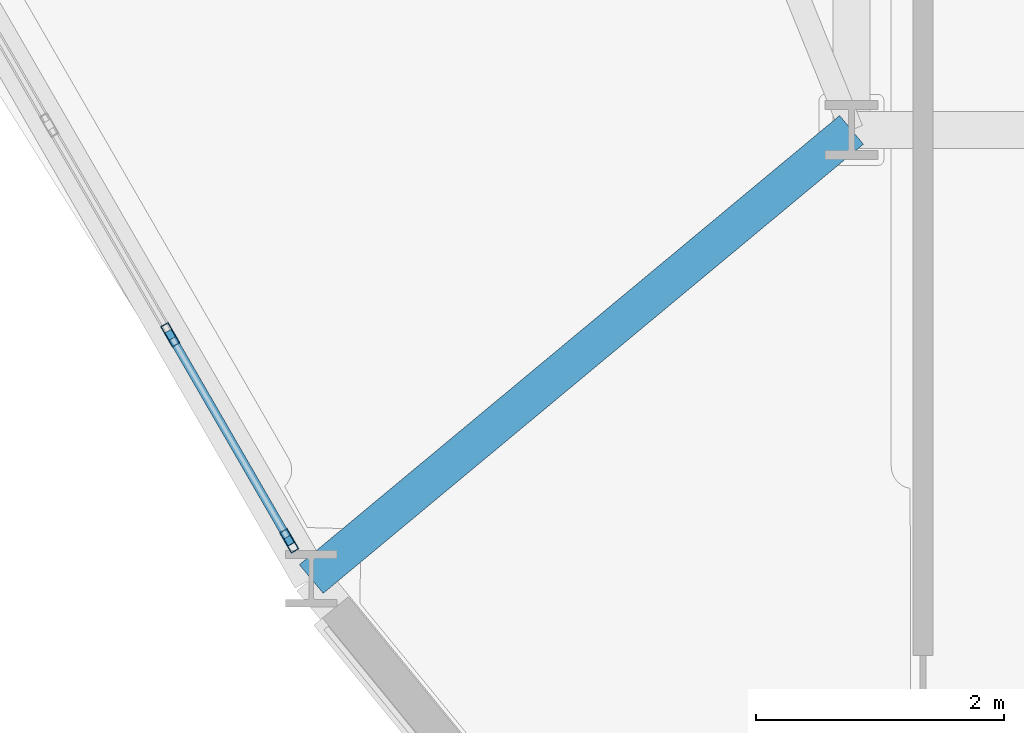
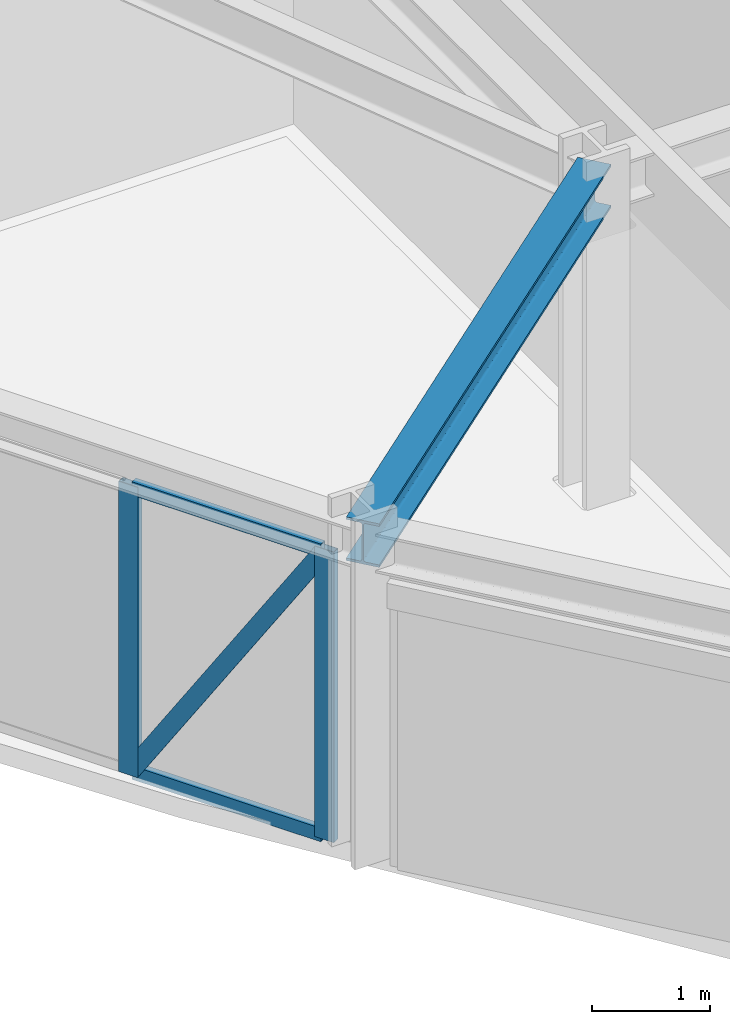
# One storey, part 2 of 17: 5 members, 1 beam, 1 element without a shape of its own.
"""IFC4 building model written with IfcOpenShell, lengths in metres."""

from ifc_helpers import new_model, si_unit, derived_unit, direction, frame, origin, origin_2d, place, context, subcontext, project, spatial, hollow_rectangle, i_section, extrude, source, transform, mapped, material, layer, layer_set, material_profile, profile_set, type_object, element, aggregate, save


model = new_model("IFC4")

# Units and contexts
model_context = context("Model", 3, precision=1e-05, world=origin(), true_north=direction((0.0, 1.0)))
body_context = subcontext(model_context, "Body", "Model", "MODEL_VIEW")
ifc_project = project(units=[si_unit("LENGTHUNIT", "METRE"), si_unit("AREAUNIT", "SQUARE_METRE"), si_unit("VOLUMEUNIT", "CUBIC_METRE"), si_unit("PLANEANGLEUNIT", "RADIAN"), si_unit("MASSUNIT", "GRAM", prefix="KILO"), derived_unit("THERMALTRANSMITTANCEUNIT", [(si_unit("POWERUNIT", "WATT"), 1), (si_unit("LENGTHUNIT", "METRE"), -2), (si_unit("THERMODYNAMICTEMPERATUREUNIT", "KELVIN"), -1)])], contexts=[model_context])

# Site, building, storey
site_placement = place(None, origin())
site = spatial("IfcSite", under=ifc_project, at=site_placement, CompositionType="ELEMENT")
building_placement = place(site_placement, origin())
building = spatial("IfcBuilding", under=site, at=building_placement, Name="Korsvarv Bourse and Concert Hall", CompositionType="ELEMENT")
storey_placement = place(building_placement, frame((0.0, 0.0, 102.60009765625)))
storey = spatial("IfcBuildingStorey", under=building, at=storey_placement, Name="L25", CompositionType="ELEMENT", Elevation=102.60009765625)

# Beam
ifc_material_1 = material(Name="Steel S355", Category="steel")
ifc_material_profile_1 = material_profile(ifc_material_1, i_section(OverallWidth=0.300048828125, OverallDepth=0.449951171875, WebThickness=0.013916015625, FlangeThickness=0.02587890625, FilletRadius=0.02099609375, at=origin_2d()), Name="HEB 450")
ifc_profile_set_1 = profile_set([ifc_material_profile_1], Name="Steel S355")
beam_type = type_object("IfcBeamType", Name="BM-HEB450", PredefinedType="SPANDREL", material=ifc_profile_set_1)
shared_shape_1 = source(origin(), body_context, "Body", "SweptSolid", [
    extrude(i_section(OverallWidth=0.300048828125, OverallDepth=0.449951171875, WebThickness=0.013916015625, FlangeThickness=0.02587890625, FilletRadius=0.02099609375, at=origin_2d()), origin(), (0.0, 0.0, 1.0), 5.658447265625),
])
beam_placement = place(storey_placement, frame((23.248779296875, 20.3828125, 3.1748046875), z_axis=(0.768995227549, 0.639254518957, 0.0), x_axis=(-0.639254518957, 0.768995227549, 0.0)))
element("IfcBeam", 1, at=beam_placement, inside=storey, type_object=beam_type, Name="L25 beam B-08", PredefinedType="SPANDREL", context=body_context, shape_type="MappedRepresentation", body=[
    mapped(shared_shape_1, transform((0.0, 0.0, 0.0), scale=1.0)),
])

# Curtain wall, members
ifc_material_2 = material(Name="Anodised aluminium and triple low-E glazing", Category="glass")
ifc_layer = layer(ifc_material_2, 0.2099609375)
ifc_layer_set = layer_set([ifc_layer], Name="Anodised aluminium and triple low-E glazing")
curtain_wall_type = type_object("IfcCurtainWallType", Name="CW-SYS-2", PredefinedType="NOTDEFINED", material=ifc_layer_set)
curtain_wall_placement = place(storey_placement, origin())
curtain_wall = element("IfcCurtainWall", 2, at=curtain_wall_placement, inside=storey, type_object=curtain_wall_type, Name="L25 CW2 curtain wall CW-L25-F07", PredefinedType="NOTDEFINED")
ifc_material_3 = material(Name="Extruded aluminium EN AW-6063 T66", Category="aluminium")
ifc_material_profile_2 = material_profile(ifc_material_3, hollow_rectangle(XDim=0.070068359375, YDim=0.18994140625, WallThickness=0.0048828125, at=origin_2d()), Name="ALU-M 70x190")
ifc_profile_set_2 = profile_set([ifc_material_profile_2], Name="Extruded aluminium EN AW-6063 T66")
member_type_1 = type_object("IfcMemberType", Name="CWM-190", PredefinedType="MULLION", material=ifc_profile_set_2)
shared_shape_2 = source(origin(), body_context, "Body", "SweptSolid", [
    extrude(hollow_rectangle(XDim=0.070068359375, YDim=0.18994140625, WallThickness=0.0048828125, at=origin_2d()), origin(), (0.0, 0.0, 1.0), 3.0),
])
member_1_placement = place(storey_placement, frame((22.113037109375, 22.349853515625, 0.0), z_axis=(0.0, 0.0, 1.0), x_axis=(0.866024031595, 0.500002376695, 0.0)))
member_1 = element("IfcMember", 3, at=member_1_placement, type_object=member_type_1, Name="CW2 mullion 7", PredefinedType="MULLION", context=body_context, shape_type="MappedRepresentation", body=[
    mapped(shared_shape_2, transform((0.0, 0.0, 0.0), scale=1.0)),
])
member_2_placement = place(storey_placement, frame((23.071044921875, 20.6904296875, 0.0), z_axis=(0.0, 0.0, 1.0), x_axis=(0.866024031595, 0.500002376695, 0.0)))
member_2 = element("IfcMember", 4, at=member_2_placement, type_object=member_type_1, Name="CW2 mullion 8", PredefinedType="MULLION", context=body_context, shape_type="MappedRepresentation", body=[
    mapped(shared_shape_2, transform((0.0, 0.0, 0.0), scale=1.0)),
])
ifc_material_profile_3 = material_profile(ifc_material_3, hollow_rectangle(XDim=0.06494140625, YDim=0.139892578125, WallThickness=0.00390625, at=origin_2d()), Name="ALU-T 65x140")
ifc_profile_set_3 = profile_set([ifc_material_profile_3], Name="Extruded aluminium EN AW-6063 T66")
member_type_2 = type_object("IfcMemberType", Name="CWT-140", PredefinedType="USERDEFINED", material=ifc_profile_set_3)
shared_shape_3 = source(origin(), body_context, "Body", "SweptSolid", [
    extrude(hollow_rectangle(XDim=0.06494140625, YDim=0.139892578125, WallThickness=0.00390625, at=origin_2d()), origin(), (0.0, 0.0, 1.0), 1.84619140625),
])
member_3_placement = place(storey_placement, frame((22.130615234375, 22.319580078125, 0.032470703125), z_axis=(0.499993363642, -0.866029235253, 0.0), x_axis=(0.866029235253, 0.499993363642, 0.0)))
member_3 = element("IfcMember", 5, at=member_3_placement, type_object=member_type_2, Name="CW2 transom 7.1", ObjectType="TRANSOM", PredefinedType="USERDEFINED", context=body_context, shape_type="MappedRepresentation", body=[
    mapped(shared_shape_3, transform((0.0, 0.0, 0.0), scale=1.0)),
])
member_4_placement = place(storey_placement, frame((22.130615234375, 22.319580078125, 2.96728515625), z_axis=(0.499993363642, -0.866029235253, 0.0), x_axis=(0.866029235253, 0.499993363642, 0.0)))
member_4 = element("IfcMember", 6, at=member_4_placement, type_object=member_type_2, Name="CW2 transom 7.2", ObjectType="TRANSOM", PredefinedType="USERDEFINED", context=body_context, shape_type="MappedRepresentation", body=[
    mapped(shared_shape_3, transform((0.0, 0.0, 0.0), scale=1.0)),
])
ifc_material_profile_4 = material_profile(ifc_material_3, hollow_rectangle(XDim=0.06494140625, YDim=0.1650390625, WallThickness=0.0048828125, at=origin_2d()), Name="ALU-M 65x165")
ifc_profile_set_4 = profile_set([ifc_material_profile_4], Name="Extruded aluminium EN AW-6063 T66")
member_type_3 = type_object("IfcMemberType", Name="CWM-165", PredefinedType="MULLION", material=ifc_profile_set_4)
shared_shape_4 = source(origin(), body_context, "Body", "SweptSolid", [
    extrude(hollow_rectangle(XDim=0.06494140625, YDim=0.1650390625, WallThickness=0.0048828125, at=origin_2d()), origin(), (0.0, 0.0, 1.0), 3.412353515625),
])
member_5_placement = place(storey_placement, frame((22.130615234375, 22.319580078125, 0.06494140625), z_axis=(0.270509714708, -0.468544861576, 0.841005473787), x_axis=(0.866029235253, 0.499993363642, 0.0)))
member_5 = element("IfcMember", 7, at=member_5_placement, type_object=member_type_3, Name="CW2 diagonal mullion 7", PredefinedType="MULLION", context=body_context, shape_type="MappedRepresentation", body=[
    mapped(shared_shape_4, transform((0.0, 0.0, 0.0), scale=1.0)),
])
aggregate(curtain_wall, [member_1, member_2, member_3, member_4, member_5])

save(model, "model.ifc")
